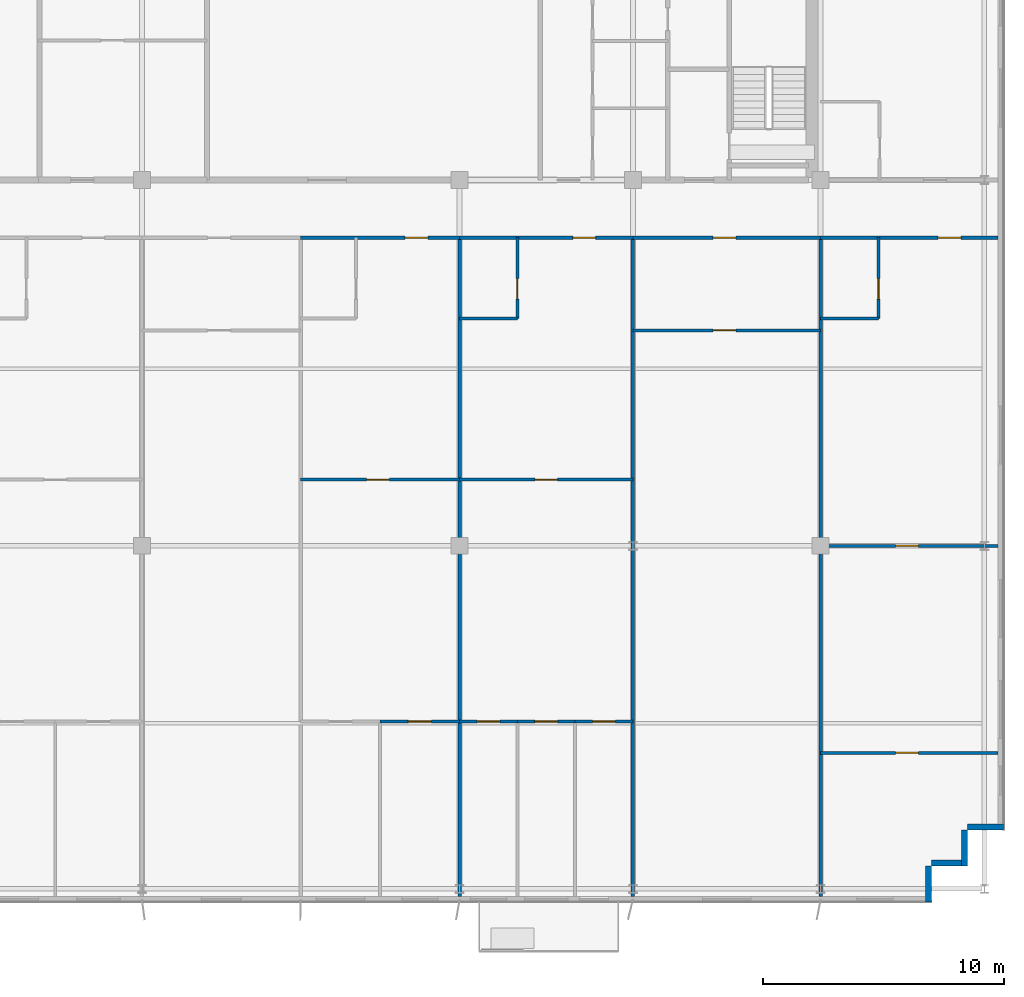
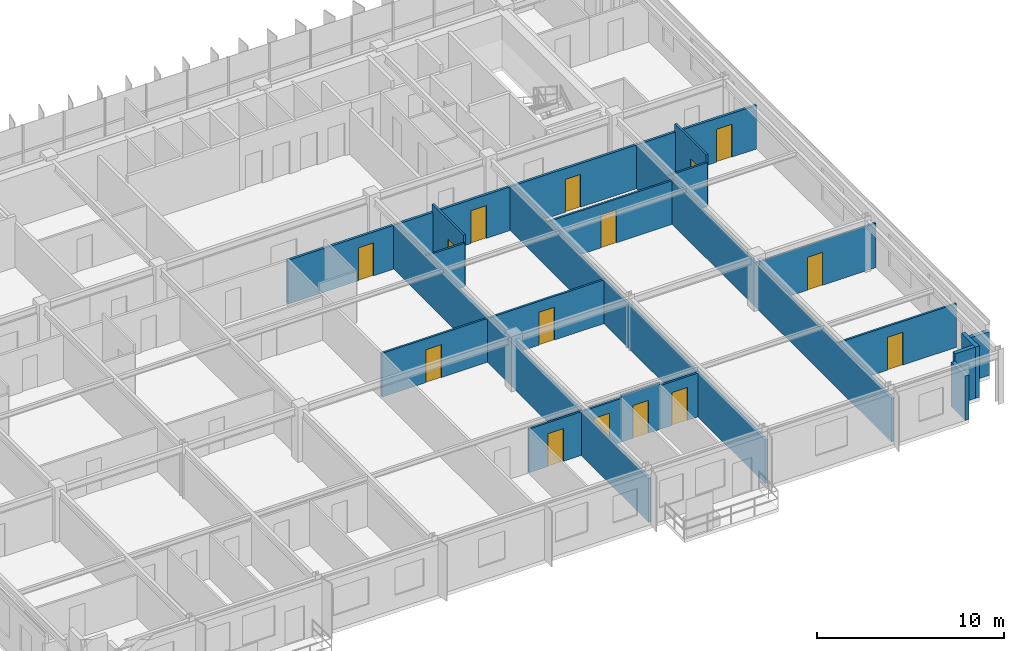
# One storey, part 18 of 23: 24 walls, 15 doors, 15 openings.
"""IFC4 building model written with IfcOpenShell, lengths in metres."""

from ifc_helpers import new_model, si_unit, direction, frame, frame_2d, origin, place, context, subcontext, project, spatial, rectangle, extrude, source, transform, mapped, material, layer, layer_set, type_object, element, fill, save


model = new_model("IFC4")

# Units and contexts
model_context = context("Model", 3, precision=1e-05, world=origin(), true_north=direction((0.0, 1.0)))
body_context = subcontext(model_context, "Body", "Model", "MODEL_VIEW")
ifc_project = project(units=[si_unit("LENGTHUNIT", "METRE"), si_unit("AREAUNIT", "SQUARE_METRE"), si_unit("VOLUMEUNIT", "CUBIC_METRE"), si_unit("PLANEANGLEUNIT", "RADIAN"), si_unit("MASSUNIT", "GRAM", prefix="KILO")], contexts=[model_context])

# Site, building, storey
site_placement = place(None, origin())
site = spatial("IfcSite", under=ifc_project, at=site_placement, CompositionType="ELEMENT")
building_placement = place(site_placement, origin())
building = spatial("IfcBuilding", under=site, at=building_placement, Name="Trelvane Seafront Commons", CompositionType="ELEMENT")
storey_placement = place(building_placement, frame((0.0, 0.0, 219.300048828125)))
storey = spatial("IfcBuildingStorey", under=building, at=storey_placement, Name="L57", CompositionType="ELEMENT", Elevation=219.300048828125)

# Walls
ifc_material_1 = material(Name="Precast concrete C40/50", Category="concrete")
ifc_layer_1 = layer(ifc_material_1, 0.239990234375, Name="ARCH-WALL-EXT240")
ifc_layer_set_1 = layer_set([ifc_layer_1], Name="Precast concrete C40/50")
wall_type_1 = type_object("IfcWallType", Name="ARCH-WALL-EXT240", PredefinedType="SOLIDWALL", material=ifc_layer_set_1)
wall_1_placement = place(storey_placement, frame((66.39990234375, 6.52001953125, 0.0), z_axis=(0.0, 0.0, 1.0), x_axis=(-1.0, 0.0, 0.0)))
element("IfcWall", 1, at=wall_1_placement, inside=storey, type_object=wall_type_1, Name="EW-L57-01156", PredefinedType="SOLIDWALL", context=body_context, shape_type="SweptSolid", body=[
    extrude(rectangle(XDim=1.5, YDim=0.239990234375, at=frame_2d((0.75, 0.0))), origin(), (0.0, 0.0, 1.0), 2.85986328125),
])
for number, where, z_axis, x_axis, name in (
    (2, (64.780029296875, 6.39990234375, 0.0), (0.0, 0.0, 1.0), (0.0, -1.0, 0.0), "EW-L57-01157"),
    (3, (64.89990234375, 5.02001953125, 0.0), (0.0, 0.0, 1.0), (-1.0, 0.0, 0.0), "EW-L57-01158"),
):
    element("IfcWall", number, at=place(storey_placement, frame(where, z_axis=z_axis, x_axis=x_axis)), inside=storey, type_object=wall_type_1, Name=name, PredefinedType="SOLIDWALL", context=body_context, shape_type="SweptSolid", body=[
        extrude(rectangle(XDim=1.5, YDim=0.239990234375, at=frame_2d((0.75, 0.0))), origin(), (0.0, 0.0, 1.0), 3.35986328125),
    ])
wall_2_placement = place(storey_placement, frame((63.280029296875, 4.89990234375, 0.0), z_axis=(0.0, 0.0, 1.0), x_axis=(0.0, -1.0, 0.0)))
element("IfcWall", 4, at=wall_2_placement, inside=storey, type_object=wall_type_1, Name="EW-L57-01159", PredefinedType="SOLIDWALL", context=body_context, shape_type="SweptSolid", body=[
    extrude(rectangle(XDim=1.5, YDim=0.239990234375, at=frame_2d((0.75, 0.0))), origin(), (0.0, 0.0, 1.0), 2.909912109375),
])

# Wall, opening, door
ifc_material_2 = material(Name="Gypsum Drywall Acoustic Partition")
ifc_layer_2 = layer(ifc_material_2, 0.1201171875, Name="ARCH-WALL-PART120")
ifc_layer_set_2 = layer_set([ifc_layer_2], Name="Gypsum Drywall Acoustic Partition")
wall_type_2 = type_object("IfcWallType", Name="ARCH-WALL-PART120", PredefinedType="PARTITIONING", material=ifc_layer_set_2)
wall_3_placement = place(storey_placement, frame((37.199951171875, 20.949951171875, 0.0), z_axis=(0.0, 0.0, 1.0), x_axis=(1.0, 0.0, 0.0)))
wall_3 = element("IfcWall", 5, at=wall_3_placement, inside=storey, type_object=wall_type_2, Name="W-L57-U5-KL-082", PredefinedType="PARTITIONING", context=body_context, shape_type="SweptSolid", body=[
    extrude(rectangle(XDim=6.60009765625, YDim=0.1201171875, at=frame_2d((3.300048828125, 0.0))), origin(), (0.0, 0.0, 1.0), 2.85986328125),
])
opening_1_placement = place(wall_3_placement, frame((2.73388671875, 0.0, 0.0)))
opening_1 = element("IfcOpeningElement", 6, at=opening_1_placement, cuts=wall_3, Name="Opening D-L57-49", PredefinedType="OPENING", context=body_context, shape_type="SweptSolid", body=[
    extrude(rectangle(XDim=0.949951171875, YDim=2.14990234375, at=frame_2d((0.47509765625, 1.074951171875))), frame((0.0, 0.070068359375, 0.0), z_axis=(0.0, -1.0, 0.0), x_axis=(1.0, 0.0, 0.0)), (0.0, 0.0, 1.0), 0.14013671875),
])
ifc_material_3 = material(Name="Acoustic timber door leaf", Category="wood")
door_type_1 = type_object("IfcDoorType", Name="ARCH-DR-INT950", OperationType="NOTDEFINED", PredefinedType="DOOR", material=ifc_material_3)
shared_shape_1 = source(origin(), body_context, "Body", "SweptSolid", [
    extrude(rectangle(XDim=0.949951171875, YDim=2.14990234375, at=frame_2d((0.47509765625, 1.074951171875))), frame((0.0, 0.02490234375, 0.0), z_axis=(0.0, -1.0, 0.0), x_axis=(1.0, 0.0, 0.0)), (0.0, 0.0, 1.0), 0.050048828125),
])
door_1_placement = place(opening_1_placement, origin())
door_1 = element("IfcDoor", 7, at=door_1_placement, inside=storey, type_object=door_type_1, Name="L57 Door 49", OperationType="SINGLE_SWING_LEFT", OverallHeight=2.14990234375, OverallWidth=0.949951171875, PredefinedType="DOOR", context=body_context, shape_type="MappedRepresentation", body=[
    mapped(shared_shape_1, transform((0.0, 0.0, 0.0), x_axis=(1.0, 0.0, 0.0), y_axis=(0.0, 1.0, 0.0), z_axis=(0.0, 0.0, 1.0), scale=1.0)),
])
fill(opening_1, door_1)

wall_4_placement = place(storey_placement, frame((40.5, 10.89990234375, 0.0), z_axis=(0.0, 0.0, 1.0), x_axis=(1.0, 0.0, 0.0)))
wall_4 = element("IfcWall", 8, at=wall_4_placement, inside=storey, type_object=wall_type_2, Name="W-L57-U5-YM-2-087", PredefinedType="PARTITIONING", context=body_context, shape_type="SweptSolid", body=[
    extrude(rectangle(XDim=3.300048828125, YDim=0.1201171875, at=frame_2d((1.64990234375, 0.0))), origin(), (0.0, 0.0, 1.0), 2.85986328125),
])
opening_2_placement = place(wall_4_placement, frame((1.175048828125, 0.0, 0.0)))
opening_2 = element("IfcOpeningElement", 9, at=opening_2_placement, cuts=wall_4, Name="Opening D-L57-53", PredefinedType="OPENING", context=body_context, shape_type="SweptSolid", body=[
    extrude(rectangle(XDim=0.949951171875, YDim=2.14990234375, at=frame_2d((0.47509765625, 1.074951171875))), frame((0.0, 0.070068359375, 0.0), z_axis=(0.0, -1.0, 0.0), x_axis=(1.0, 0.0, 0.0)), (0.0, 0.0, 1.0), 0.14013671875),
])
door_2_placement = place(opening_2_placement, origin())
door_2 = element("IfcDoor", 10, at=door_2_placement, inside=storey, type_object=door_type_1, Name="L57 Door 53", OperationType="SINGLE_SWING_LEFT", OverallHeight=2.14990234375, OverallWidth=0.949951171875, PredefinedType="DOOR", context=body_context, shape_type="MappedRepresentation", body=[
    mapped(shared_shape_1, transform((0.0, 0.0, 0.0), x_axis=(1.0, 0.0, 0.0), y_axis=(0.0, 1.0, 0.0), z_axis=(0.0, 0.0, 1.0), scale=1.0)),
])
fill(opening_2, door_2)

wall_5_placement = place(storey_placement, frame((43.800048828125, 20.949951171875, 0.0), z_axis=(0.0, 0.0, 1.0), x_axis=(1.0, 0.0, 0.0)))
wall_5 = element("IfcWall", 11, at=wall_5_placement, inside=storey, type_object=wall_type_2, Name="W-L57-U6-KL-089", PredefinedType="PARTITIONING", context=body_context, shape_type="SweptSolid", body=[
    extrude(rectangle(XDim=7.199951171875, YDim=0.1201171875, at=frame_2d((3.60009765625, 0.0))), origin(), (0.0, 0.0, 1.0), 2.85986328125),
])
opening_3_placement = place(wall_5_placement, frame((3.125, 0.0, 0.0)))
opening_3 = element("IfcOpeningElement", 12, at=opening_3_placement, cuts=wall_5, Name="Opening D-L57-54", PredefinedType="OPENING", context=body_context, shape_type="SweptSolid", body=[
    extrude(rectangle(XDim=0.949951171875, YDim=2.14990234375, at=frame_2d((0.47509765625, 1.074951171875))), frame((0.0, 0.070068359375, 0.0), z_axis=(0.0, -1.0, 0.0), x_axis=(1.0, 0.0, 0.0)), (0.0, 0.0, 1.0), 0.14013671875),
])
door_3_placement = place(opening_3_placement, origin())
door_3 = element("IfcDoor", 13, at=door_3_placement, inside=storey, type_object=door_type_1, Name="L57 Door 54", OperationType="SINGLE_SWING_RIGHT", OverallHeight=2.14990234375, OverallWidth=0.949951171875, PredefinedType="DOOR", context=body_context, shape_type="MappedRepresentation", body=[
    mapped(shared_shape_1, transform((0.0, 0.0, 0.0), x_axis=(1.0, 0.0, 0.0), y_axis=(0.0, 1.0, 0.0), z_axis=(0.0, 0.0, 1.0), scale=1.0)),
])
fill(opening_3, door_3)

wall_6_placement = place(storey_placement, frame((46.199951171875, 27.64990234375, 0.0), z_axis=(0.0, 0.0, 1.0), x_axis=(0.0, 1.0, 0.0)))
wall_6 = element("IfcWall", 14, at=wall_6_placement, inside=storey, type_object=wall_type_2, Name="W-L57-U6-BE-090", PredefinedType="PARTITIONING", context=body_context, shape_type="SweptSolid", body=[
    extrude(rectangle(XDim=3.35009765625, YDim=0.1201171875, at=frame_2d((1.675048828125, 0.0))), origin(), (0.0, 0.0, 1.0), 3.35986328125),
])
opening_4_placement = place(wall_6_placement, frame((0.800048828125, 0.0, 0.0)))
opening_4 = element("IfcOpeningElement", 15, at=opening_4_placement, cuts=wall_6, Name="Opening D-L57-55", PredefinedType="OPENING", context=body_context, shape_type="SweptSolid", body=[
    extrude(rectangle(XDim=0.85009765625, YDim=2.10009765625, at=frame_2d((0.425048828125, 1.050048828125))), frame((0.0, 0.070068359375, 0.0), z_axis=(0.0, -1.0, 0.0), x_axis=(1.0, 0.0, 0.0)), (0.0, 0.0, 1.0), 0.14013671875),
])
door_type_2 = type_object("IfcDoorType", Name="ARCH-DR-INT850", OperationType="NOTDEFINED", PredefinedType="DOOR", material=ifc_material_3)
shared_shape_2 = source(origin(), body_context, "Body", "SweptSolid", [
    extrude(rectangle(XDim=0.85009765625, YDim=2.10009765625, at=frame_2d((0.425048828125, 1.050048828125))), frame((0.0, 0.02490234375, 0.0), z_axis=(0.0, -1.0, 0.0), x_axis=(1.0, 0.0, 0.0)), (0.0, 0.0, 1.0), 0.050048828125),
])
door_4_placement = place(opening_4_placement, origin())
door_4 = element("IfcDoor", 16, at=door_4_placement, inside=storey, type_object=door_type_2, Name="L57 Door 55", OperationType="SINGLE_SWING_LEFT", OverallHeight=2.10009765625, OverallWidth=0.85009765625, PredefinedType="DOOR", context=body_context, shape_type="MappedRepresentation", body=[
    mapped(shared_shape_2, transform((0.0, 0.0, 0.0), x_axis=(1.0, 0.0, 0.0), y_axis=(0.0, 1.0, 0.0), z_axis=(0.0, 0.0, 1.0), scale=1.0)),
])
fill(opening_4, door_4)

# Wall
wall_7_placement = place(storey_placement, frame((43.800048828125, 27.64990234375, 0.0), z_axis=(0.0, 0.0, 1.0), x_axis=(1.0, 0.0, 0.0)))
element("IfcWall", 17, at=wall_7_placement, inside=storey, type_object=wall_type_2, Name="W-L57-U6-BS-091", PredefinedType="PARTITIONING", context=body_context, shape_type="SweptSolid", body=[
    extrude(rectangle(XDim=2.39990234375, YDim=0.1201171875, at=frame_2d((1.199951171875, 0.0))), origin(), (0.0, 0.0, 1.0), 2.85986328125),
])

# Wall, opening, door
wall_8_placement = place(storey_placement, frame((43.800048828125, 10.89990234375, 0.0), z_axis=(0.0, 0.0, 1.0), x_axis=(1.0, 0.0, 0.0)))
wall_8 = element("IfcWall", 18, at=wall_8_placement, inside=storey, type_object=wall_type_2, Name="W-L57-U6-YM-1-093", PredefinedType="PARTITIONING", context=body_context, shape_type="SweptSolid", body=[
    extrude(rectangle(XDim=2.39990234375, YDim=0.1201171875, at=frame_2d((1.199951171875, 0.0))), origin(), (0.0, 0.0, 1.0), 2.85986328125),
])
opening_5_placement = place(wall_8_placement, frame((0.72509765625, 0.0, 0.0)))
opening_5 = element("IfcOpeningElement", 19, at=opening_5_placement, cuts=wall_8, Name="Opening D-L57-57", PredefinedType="OPENING", context=body_context, shape_type="SweptSolid", body=[
    extrude(rectangle(XDim=0.949951171875, YDim=2.14990234375, at=frame_2d((0.47509765625, 1.074951171875))), frame((0.0, 0.070068359375, 0.0), z_axis=(0.0, -1.0, 0.0), x_axis=(1.0, 0.0, 0.0)), (0.0, 0.0, 1.0), 0.14013671875),
])
door_5_placement = place(opening_5_placement, origin())
door_5 = element("IfcDoor", 20, at=door_5_placement, inside=storey, type_object=door_type_1, Name="L57 Door 57", OperationType="SINGLE_SWING_LEFT", OverallHeight=2.14990234375, OverallWidth=0.949951171875, PredefinedType="DOOR", context=body_context, shape_type="MappedRepresentation", body=[
    mapped(shared_shape_1, transform((0.0, 0.0, 0.0), x_axis=(1.0, 0.0, 0.0), y_axis=(0.0, 1.0, 0.0), z_axis=(0.0, 0.0, 1.0), scale=1.0)),
])
fill(opening_5, door_5)

wall_9_placement = place(storey_placement, frame((46.199951171875, 10.89990234375, 0.0), z_axis=(0.0, 0.0, 1.0), x_axis=(1.0, 0.0, 0.0)))
wall_9 = element("IfcWall", 21, at=wall_9_placement, inside=storey, type_object=wall_type_2, Name="W-L57-U6-YM-2-094", PredefinedType="PARTITIONING", context=body_context, shape_type="SweptSolid", body=[
    extrude(rectangle(XDim=2.400146484375, YDim=0.1201171875, at=frame_2d((1.2001953125, 0.0))), origin(), (0.0, 0.0, 1.0), 3.06005859375),
])
opening_6_placement = place(wall_9_placement, frame((0.72509765625, 0.0, 0.0)))
opening_6 = element("IfcOpeningElement", 22, at=opening_6_placement, cuts=wall_9, Name="Opening D-L57-58", PredefinedType="OPENING", context=body_context, shape_type="SweptSolid", body=[
    extrude(rectangle(XDim=0.949951171875, YDim=2.14990234375, at=frame_2d((0.47509765625, 1.074951171875))), frame((0.0, 0.070068359375, 0.0), z_axis=(0.0, -1.0, 0.0), x_axis=(1.0, 0.0, 0.0)), (0.0, 0.0, 1.0), 0.14013671875),
])
door_6_placement = place(opening_6_placement, origin())
door_6 = element("IfcDoor", 23, at=door_6_placement, inside=storey, type_object=door_type_1, Name="L57 Door 58", OperationType="SINGLE_SWING_RIGHT", OverallHeight=2.14990234375, OverallWidth=0.949951171875, PredefinedType="DOOR", context=body_context, shape_type="MappedRepresentation", body=[
    mapped(shared_shape_1, transform((0.0, 0.0, 0.0), x_axis=(1.0, 0.0, 0.0), y_axis=(0.0, 1.0, 0.0), z_axis=(0.0, 0.0, 1.0), scale=1.0)),
])
fill(opening_6, door_6)

wall_10_placement = place(storey_placement, frame((48.60009765625, 10.89990234375, 0.0), z_axis=(0.0, 0.0, 1.0), x_axis=(1.0, 0.0, 0.0)))
wall_10 = element("IfcWall", 24, at=wall_10_placement, inside=storey, type_object=wall_type_2, Name="W-L57-U6-YM-3-096", PredefinedType="PARTITIONING", context=body_context, shape_type="SweptSolid", body=[
    extrude(rectangle(XDim=2.39990234375, YDim=0.1201171875, at=frame_2d((1.199951171875, 0.0))), origin(), (0.0, 0.0, 1.0), 2.85986328125),
])
opening_7_placement = place(wall_10_placement, frame((0.72509765625, 0.0, 0.0)))
opening_7 = element("IfcOpeningElement", 25, at=opening_7_placement, cuts=wall_10, Name="Opening D-L57-59", PredefinedType="OPENING", context=body_context, shape_type="SweptSolid", body=[
    extrude(rectangle(XDim=0.949951171875, YDim=2.14990234375, at=frame_2d((0.47509765625, 1.074951171875))), frame((0.0, 0.070068359375, 0.0), z_axis=(0.0, -1.0, 0.0), x_axis=(1.0, 0.0, 0.0)), (0.0, 0.0, 1.0), 0.14013671875),
])
door_7_placement = place(opening_7_placement, origin())
door_7 = element("IfcDoor", 26, at=door_7_placement, inside=storey, type_object=door_type_1, Name="L57 Door 59", OperationType="SINGLE_SWING_LEFT", OverallHeight=2.14990234375, OverallWidth=0.949951171875, PredefinedType="DOOR", context=body_context, shape_type="MappedRepresentation", body=[
    mapped(shared_shape_1, transform((0.0, 0.0, 0.0), x_axis=(1.0, 0.0, 0.0), y_axis=(0.0, 1.0, 0.0), z_axis=(0.0, 0.0, 1.0), scale=1.0)),
])
fill(opening_7, door_7)

wall_11_placement = place(storey_placement, frame((51.0, 27.14990234375, 0.0), z_axis=(0.0, 0.0, 1.0), x_axis=(1.0, 0.0, 0.0)))
wall_11 = element("IfcWall", 27, at=wall_11_placement, inside=storey, type_object=wall_type_2, Name="W-L57-U7-DIV-099", PredefinedType="PARTITIONING", context=body_context, shape_type="SweptSolid", body=[
    extrude(rectangle(XDim=7.800048828125, YDim=0.1201171875, at=frame_2d((3.89990234375, 0.0))), origin(), (0.0, 0.0, 1.0), 2.85986328125),
])
opening_8_placement = place(wall_11_placement, frame((3.3330078125, 0.0, 0.0)))
opening_8 = element("IfcOpeningElement", 28, at=opening_8_placement, cuts=wall_11, Name="Opening D-L57-61", PredefinedType="OPENING", context=body_context, shape_type="SweptSolid", body=[
    extrude(rectangle(XDim=0.949951171875, YDim=2.14990234375, at=frame_2d((0.47509765625, 1.074951171875))), frame((0.0, 0.070068359375, 0.0), z_axis=(0.0, -1.0, 0.0), x_axis=(1.0, 0.0, 0.0)), (0.0, 0.0, 1.0), 0.14013671875),
])
door_8_placement = place(opening_8_placement, origin())
door_8 = element("IfcDoor", 29, at=door_8_placement, inside=storey, type_object=door_type_1, Name="L57 Door 61", OperationType="SINGLE_SWING_LEFT", OverallHeight=2.14990234375, OverallWidth=0.949951171875, PredefinedType="DOOR", context=body_context, shape_type="MappedRepresentation", body=[
    mapped(shared_shape_1, transform((0.0, 0.0, 0.0), x_axis=(1.0, 0.0, 0.0), y_axis=(0.0, 1.0, 0.0), z_axis=(0.0, 0.0, 1.0), scale=1.0)),
])
fill(opening_8, door_8)

wall_12_placement = place(storey_placement, frame((58.800048828125, 18.199951171875, 0.0), z_axis=(0.0, 0.0, 1.0), x_axis=(1.0, 0.0, 0.0)))
wall_12 = element("IfcWall", 30, at=wall_12_placement, inside=storey, type_object=wall_type_2, Name="W-L57-U8-KL-100", PredefinedType="PARTITIONING", context=body_context, shape_type="SweptSolid", body=[
    extrude(rectangle(XDim=7.35986328125, YDim=0.1201171875, at=frame_2d((3.679931640625, 0.0))), origin(), (0.0, 0.0, 1.0), 2.909912109375),
])
opening_9_placement = place(wall_12_placement, frame((3.114013671875, 0.0, 0.0)))
opening_9 = element("IfcOpeningElement", 31, at=opening_9_placement, cuts=wall_12, Name="Opening D-L57-62", PredefinedType="OPENING", context=body_context, shape_type="SweptSolid", body=[
    extrude(rectangle(XDim=0.949951171875, YDim=2.14990234375, at=frame_2d((0.47509765625, 1.074951171875))), frame((0.0, 0.070068359375, 0.0), z_axis=(0.0, -1.0, 0.0), x_axis=(1.0, 0.0, 0.0)), (0.0, 0.0, 1.0), 0.14013671875),
])
door_9_placement = place(opening_9_placement, origin())
door_9 = element("IfcDoor", 32, at=door_9_placement, inside=storey, type_object=door_type_1, Name="L57 Door 62", OperationType="SINGLE_SWING_RIGHT", OverallHeight=2.14990234375, OverallWidth=0.949951171875, PredefinedType="DOOR", context=body_context, shape_type="MappedRepresentation", body=[
    mapped(shared_shape_1, transform((0.0, 0.0, 0.0), x_axis=(1.0, 0.0, 0.0), y_axis=(0.0, 1.0, 0.0), z_axis=(0.0, 0.0, 1.0), scale=1.0)),
])
fill(opening_9, door_9)

wall_13_placement = place(storey_placement, frame((61.199951171875, 27.64990234375, 0.0), z_axis=(0.0, 0.0, 1.0), x_axis=(0.0, 1.0, 0.0)))
wall_13 = element("IfcWall", 33, at=wall_13_placement, inside=storey, type_object=wall_type_2, Name="W-L57-U8-BE-101", PredefinedType="PARTITIONING", context=body_context, shape_type="SweptSolid", body=[
    extrude(rectangle(XDim=3.35009765625, YDim=0.1201171875, at=frame_2d((1.675048828125, 0.0))), origin(), (0.0, 0.0, 1.0), 3.35986328125),
])
opening_10_placement = place(wall_13_placement, frame((0.800048828125, 0.0, 0.0)))
opening_10 = element("IfcOpeningElement", 34, at=opening_10_placement, cuts=wall_13, Name="Opening D-L57-63", PredefinedType="OPENING", context=body_context, shape_type="SweptSolid", body=[
    extrude(rectangle(XDim=0.85009765625, YDim=2.10009765625, at=frame_2d((0.425048828125, 1.050048828125))), frame((0.0, 0.070068359375, 0.0), z_axis=(0.0, -1.0, 0.0), x_axis=(1.0, 0.0, 0.0)), (0.0, 0.0, 1.0), 0.14013671875),
])
door_10_placement = place(opening_10_placement, origin())
door_10 = element("IfcDoor", 35, at=door_10_placement, inside=storey, type_object=door_type_2, Name="L57 Door 63", OperationType="SINGLE_SWING_LEFT", OverallHeight=2.10009765625, OverallWidth=0.85009765625, PredefinedType="DOOR", context=body_context, shape_type="MappedRepresentation", body=[
    mapped(shared_shape_2, transform((0.0, 0.0, 0.0), x_axis=(1.0, 0.0, 0.0), y_axis=(0.0, 1.0, 0.0), z_axis=(0.0, 0.0, 1.0), scale=1.0)),
])
fill(opening_10, door_10)

# Wall
wall_14_placement = place(storey_placement, frame((58.800048828125, 27.64990234375, 0.0), z_axis=(0.0, 0.0, 1.0), x_axis=(1.0, 0.0, 0.0)))
element("IfcWall", 36, at=wall_14_placement, inside=storey, type_object=wall_type_2, Name="W-L57-U8-BS-102", PredefinedType="PARTITIONING", context=body_context, shape_type="SweptSolid", body=[
    extrude(rectangle(XDim=2.39990234375, YDim=0.1201171875, at=frame_2d((1.199951171875, 0.0))), origin(), (0.0, 0.0, 1.0), 2.85986328125),
])

# Wall, opening, door
wall_15_placement = place(storey_placement, frame((58.800048828125, 9.60009765625, 0.0), z_axis=(0.0, 0.0, 1.0), x_axis=(1.0, 0.0, 0.0)))
wall_15 = element("IfcWall", 37, at=wall_15_placement, inside=storey, type_object=wall_type_2, Name="W-L57-U8-YM-1-104", PredefinedType="PARTITIONING", context=body_context, shape_type="SweptSolid", body=[
    extrude(rectangle(XDim=7.35986328125, YDim=0.1201171875, at=frame_2d((3.679931640625, 0.0))), origin(), (0.0, 0.0, 1.0), 2.85986328125),
])
opening_11_placement = place(wall_15_placement, frame((3.114013671875, 0.0, 0.0)))
opening_11 = element("IfcOpeningElement", 38, at=opening_11_placement, cuts=wall_15, Name="Opening D-L57-65", PredefinedType="OPENING", context=body_context, shape_type="SweptSolid", body=[
    extrude(rectangle(XDim=0.949951171875, YDim=2.14990234375, at=frame_2d((0.47509765625, 1.074951171875))), frame((0.0, 0.070068359375, 0.0), z_axis=(0.0, -1.0, 0.0), x_axis=(1.0, 0.0, 0.0)), (0.0, 0.0, 1.0), 0.14013671875),
])
door_11_placement = place(opening_11_placement, origin())
door_11 = element("IfcDoor", 39, at=door_11_placement, inside=storey, type_object=door_type_1, Name="L57 Door 65", OperationType="SINGLE_SWING_LEFT", OverallHeight=2.14990234375, OverallWidth=0.949951171875, PredefinedType="DOOR", context=body_context, shape_type="MappedRepresentation", body=[
    mapped(shared_shape_1, transform((0.0, 0.0, 0.0), x_axis=(1.0, 0.0, 0.0), y_axis=(0.0, 1.0, 0.0), z_axis=(0.0, 0.0, 1.0), scale=1.0)),
])
fill(opening_11, door_11)

# Walls
ifc_layer_3 = layer(ifc_material_2, 0.14990234375, Name="ARCH-WALL-PART150")
ifc_layer_set_3 = layer_set([ifc_layer_3], Name="Gypsum Drywall Acoustic Partition")
wall_type_3 = type_object("IfcWallType", Name="ARCH-WALL-PART150", PredefinedType="PARTITIONING", material=ifc_layer_set_3)
for number, where, z_axis, x_axis, name in (
    (40, (43.800048828125, 3.625, 0.0), (0.0, 0.0, 1.0), (0.0, 1.0, 0.0), "W-L57-PW-5-056"),
    (41, (51.0, 3.625, 0.0), (0.0, 0.0, 1.0), (0.0, 1.0, 0.0), "W-L57-PW-6-057"),
    (42, (58.800048828125, 3.625, 0.0), (0.0, 0.0, 1.0), (0.0, 1.0, 0.0), "W-L57-PW-7-058"),
):
    element("IfcWall", number, at=place(storey_placement, frame(where, z_axis=z_axis, x_axis=x_axis)), inside=storey, type_object=wall_type_3, Name=name, PredefinedType="PARTITIONING", context=body_context, shape_type="SweptSolid", body=[
        extrude(rectangle(XDim=27.375, YDim=0.14990234375, at=frame_2d((13.6875, 0.0))), origin(), (0.0, 0.0, 1.0), 2.85986328125),
    ])

# Wall, opening, door
wall_16_placement = place(storey_placement, frame((37.199951171875, 31.0, 0.0), z_axis=(0.0, 0.0, 1.0), x_axis=(1.0, 0.0, 0.0)))
wall_16 = element("IfcWall", 43, at=wall_16_placement, inside=storey, type_object=wall_type_3, Name="W-L57-CS-BAY-5-085", PredefinedType="PARTITIONING", context=body_context, shape_type="SweptSolid", body=[
    extrude(rectangle(XDim=6.60009765625, YDim=0.14990234375, at=frame_2d((3.300048828125, 0.0))), origin(), (0.0, 0.0, 1.0), 2.85986328125),
])
opening_12_placement = place(wall_16_placement, frame((4.3369140625, 0.0, 0.0)))
opening_12 = element("IfcOpeningElement", 44, at=opening_12_placement, cuts=wall_16, Name="Opening FD-L57-51", PredefinedType="OPENING", context=body_context, shape_type="SweptSolid", body=[
    extrude(rectangle(XDim=0.949951171875, YDim=2.14990234375, at=frame_2d((0.47509765625, 1.074951171875))), frame((0.0, 0.0849609375, 0.0), z_axis=(0.0, -1.0, 0.0), x_axis=(1.0, 0.0, 0.0)), (0.0, 0.0, 1.0), 0.169921875),
])
ifc_material_4 = material(Name="Powder-coated aluminium frame", Category="aluminium")
door_type_3 = type_object("IfcDoorType", Name="ARCH-DR-FD60-950", OperationType="NOTDEFINED", PredefinedType="DOOR", material=ifc_material_4)
door_12_placement = place(opening_12_placement, origin())
door_12 = element("IfcDoor", 45, at=door_12_placement, inside=storey, type_object=door_type_3, Name="L57 Unit 05 Entrance Door", OperationType="SINGLE_SWING_LEFT", OverallHeight=2.14990234375, OverallWidth=0.949951171875, PredefinedType="DOOR", context=body_context, shape_type="MappedRepresentation", body=[
    mapped(shared_shape_1, transform((0.0, 0.0, 0.0), x_axis=(1.0, 0.0, 0.0), y_axis=(0.0, 1.0, 0.0), z_axis=(0.0, 0.0, 1.0), scale=1.0)),
])
fill(opening_12, door_12)

wall_17_placement = place(storey_placement, frame((43.800048828125, 31.0, 0.0), z_axis=(0.0, 0.0, 1.0), x_axis=(1.0, 0.0, 0.0)))
wall_17 = element("IfcWall", 46, at=wall_17_placement, inside=storey, type_object=wall_type_3, Name="W-L57-CS-BAY-6-092", PredefinedType="PARTITIONING", context=body_context, shape_type="SweptSolid", body=[
    extrude(rectangle(XDim=7.199951171875, YDim=0.14990234375, at=frame_2d((3.60009765625, 0.0))), origin(), (0.0, 0.0, 1.0), 2.85986328125),
])
opening_13_placement = place(wall_17_placement, frame((4.7060546875, 0.0, 0.0)))
opening_13 = element("IfcOpeningElement", 47, at=opening_13_placement, cuts=wall_17, Name="Opening FD-L57-56", PredefinedType="OPENING", context=body_context, shape_type="SweptSolid", body=[
    extrude(rectangle(XDim=0.949951171875, YDim=2.14990234375, at=frame_2d((0.47509765625, 1.074951171875))), frame((0.0, 0.0849609375, 0.0), z_axis=(0.0, -1.0, 0.0), x_axis=(1.0, 0.0, 0.0)), (0.0, 0.0, 1.0), 0.169921875),
])
door_13_placement = place(opening_13_placement, origin())
door_13 = element("IfcDoor", 48, at=door_13_placement, inside=storey, type_object=door_type_3, Name="L57 Unit 06 Entrance Door", OperationType="SINGLE_SWING_RIGHT", OverallHeight=2.14990234375, OverallWidth=0.949951171875, PredefinedType="DOOR", context=body_context, shape_type="MappedRepresentation", body=[
    mapped(shared_shape_1, transform((0.0, 0.0, 0.0), x_axis=(1.0, 0.0, 0.0), y_axis=(0.0, 1.0, 0.0), z_axis=(0.0, 0.0, 1.0), scale=1.0)),
])
fill(opening_13, door_13)

wall_18_placement = place(storey_placement, frame((51.0, 31.0, 0.0), z_axis=(0.0, 0.0, 1.0), x_axis=(1.0, 0.0, 0.0)))
wall_18 = element("IfcWall", 49, at=wall_18_placement, inside=storey, type_object=wall_type_3, Name="W-L57-CS-BAY-7-098", PredefinedType="PARTITIONING", context=body_context, shape_type="SweptSolid", body=[
    extrude(rectangle(XDim=7.800048828125, YDim=0.14990234375, at=frame_2d((3.89990234375, 0.0))), origin(), (0.0, 0.0, 1.0), 2.85986328125),
])
opening_14_placement = place(wall_18_placement, frame((3.3330078125, 0.0, 0.0)))
opening_14 = element("IfcOpeningElement", 50, at=opening_14_placement, cuts=wall_18, Name="Opening FD-L57-60", PredefinedType="OPENING", context=body_context, shape_type="SweptSolid", body=[
    extrude(rectangle(XDim=0.949951171875, YDim=2.14990234375, at=frame_2d((0.47509765625, 1.074951171875))), frame((0.0, 0.0849609375, 0.0), z_axis=(0.0, -1.0, 0.0), x_axis=(1.0, 0.0, 0.0)), (0.0, 0.0, 1.0), 0.169921875),
])
door_14_placement = place(opening_14_placement, origin())
door_14 = element("IfcDoor", 51, at=door_14_placement, inside=storey, type_object=door_type_3, Name="L57 Bay 07 Entrance Door", OperationType="SINGLE_SWING_RIGHT", OverallHeight=2.14990234375, OverallWidth=0.949951171875, PredefinedType="DOOR", context=body_context, shape_type="MappedRepresentation", body=[
    mapped(shared_shape_1, transform((0.0, 0.0, 0.0), x_axis=(1.0, 0.0, 0.0), y_axis=(0.0, 1.0, 0.0), z_axis=(0.0, 0.0, 1.0), scale=1.0)),
])
fill(opening_14, door_14)

wall_19_placement = place(storey_placement, frame((58.800048828125, 31.0, 0.0), z_axis=(0.0, 0.0, 1.0), x_axis=(1.0, 0.0, 0.0)))
wall_19 = element("IfcWall", 52, at=wall_19_placement, inside=storey, type_object=wall_type_3, Name="W-L57-CS-BAY-8-103", PredefinedType="PARTITIONING", context=body_context, shape_type="SweptSolid", body=[
    extrude(rectangle(XDim=7.375, YDim=0.14990234375, at=frame_2d((3.6875, 0.0))), origin(), (0.0, 0.0, 1.0), 2.85986328125),
])
opening_15_placement = place(wall_19_placement, frame((4.876953125, 0.0, 0.0)))
opening_15 = element("IfcOpeningElement", 53, at=opening_15_placement, cuts=wall_19, Name="Opening FD-L57-64", PredefinedType="OPENING", context=body_context, shape_type="SweptSolid", body=[
    extrude(rectangle(XDim=0.949951171875, YDim=2.14990234375, at=frame_2d((0.47509765625, 1.074951171875))), frame((0.0, 0.0849609375, 0.0), z_axis=(0.0, -1.0, 0.0), x_axis=(1.0, 0.0, 0.0)), (0.0, 0.0, 1.0), 0.169921875),
])
door_15_placement = place(opening_15_placement, origin())
door_15 = element("IfcDoor", 54, at=door_15_placement, inside=storey, type_object=door_type_3, Name="L57 Unit 08 Entrance Door", OperationType="SINGLE_SWING_RIGHT", OverallHeight=2.14990234375, OverallWidth=0.949951171875, PredefinedType="DOOR", context=body_context, shape_type="MappedRepresentation", body=[
    mapped(shared_shape_1, transform((0.0, 0.0, 0.0), x_axis=(1.0, 0.0, 0.0), y_axis=(0.0, 1.0, 0.0), z_axis=(0.0, 0.0, 1.0), scale=1.0)),
])
fill(opening_15, door_15)

save(model, "model.ifc")
